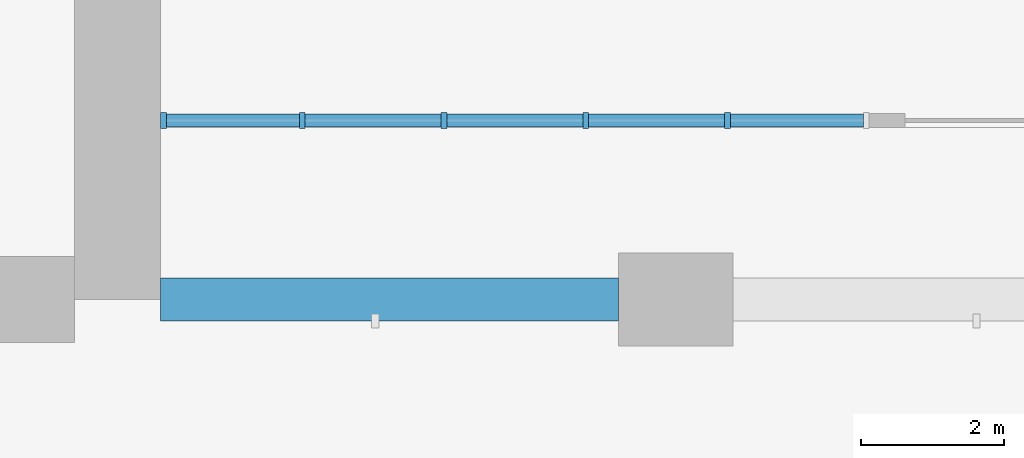
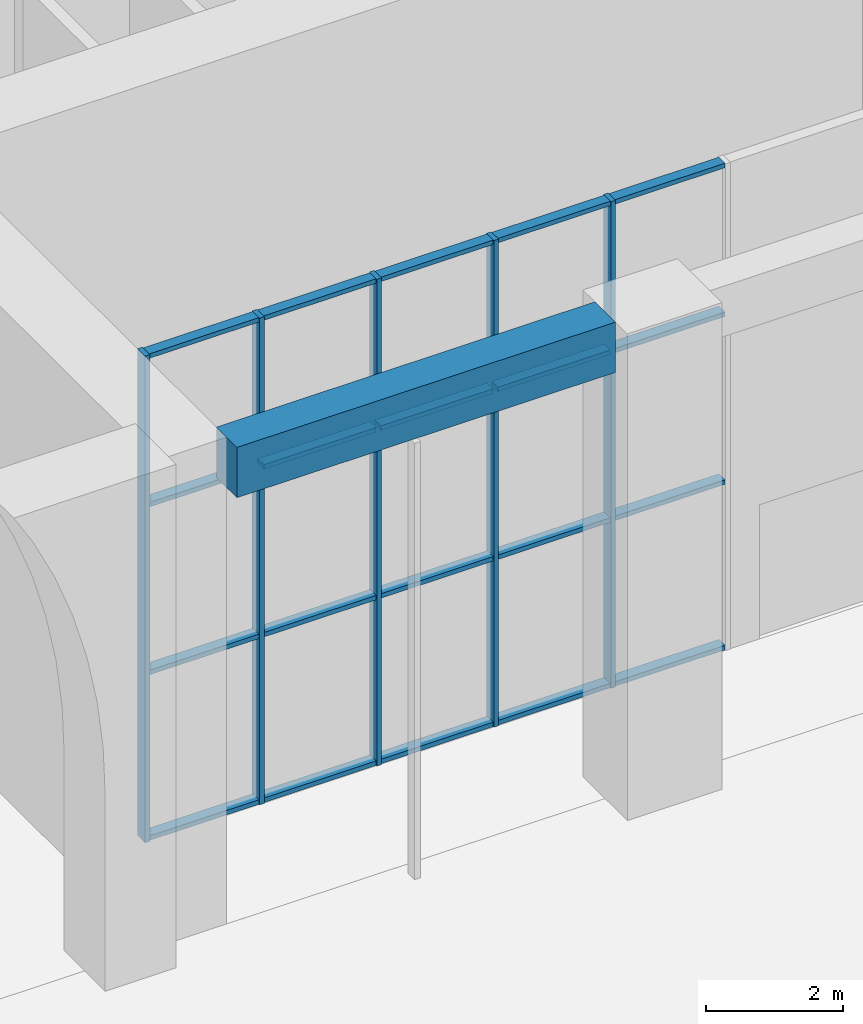
# One storey, part 4 of 46: 25 members, 1 beam, 1 element without a shape of its own.
"""IFC4 building model written with IfcOpenShell, lengths in metres."""

from ifc_helpers import new_model, si_unit, direction, frame, origin, origin_2d, place, context, subcontext, project, spatial, rectangle, extrude, material, material_profile, profile_set, type_object, element, aggregate, save


model = new_model("IFC4")

# Units and contexts
model_context = context("Model", 3, precision=1e-05, world=origin(), true_north=direction((0.0, 1.0)))
body_context = subcontext(model_context, "Body", "Model", "MODEL_VIEW")
ifc_project = project(units=[si_unit("LENGTHUNIT", "METRE"), si_unit("AREAUNIT", "SQUARE_METRE"), si_unit("VOLUMEUNIT", "CUBIC_METRE"), si_unit("PLANEANGLEUNIT", "RADIAN"), si_unit("MASSUNIT", "GRAM", prefix="KILO")], contexts=[model_context])

# Site, building, storey
site_placement = place(None, origin())
site = spatial("IfcSite", under=ifc_project, at=site_placement, CompositionType="ELEMENT")
building_placement = place(site_placement, origin())
building = spatial("IfcBuilding", under=site, at=building_placement, Name="Vermilion Gate Residences", CompositionType="ELEMENT")
storey_placement = place(building_placement, origin())
storey = spatial("IfcBuildingStorey", under=building, at=storey_placement, Name="L00", CompositionType="ELEMENT", Elevation=0.0)

# Curtain wall, members
ifc_material_1 = material(Name="Aluminium and glass", Category="aluminium")
curtain_wall_type = type_object("IfcCurtainWallType", Name="LOBBY ENTRANCE GLAZING CURTAIN WALL", PredefinedType="NOTDEFINED", material=ifc_material_1)
curtain_wall_placement = place(storey_placement, origin())
curtain_wall = element("IfcCurtainWall", 1, at=curtain_wall_placement, inside=storey, type_object=curtain_wall_type, Name="Lobby Entrance Glazing 90", PredefinedType="NOTDEFINED")
ifc_material_2 = material(Name="Aluminium", Category="aluminium")
ifc_material_profile_1 = material_profile(ifc_material_2, rectangle(XDim=0.219970703125, YDim=0.080078125, at=origin_2d()), Name="MULLION 80 X 220")
ifc_profile_set_1 = profile_set([ifc_material_profile_1], Name="Aluminium")
member_type_1 = type_object("IfcMemberType", Name="LOBBY ENTRANCE GLAZING MULLION 80 X 220", PredefinedType="MULLION", material=ifc_profile_set_1)
member_1_placement = place(storey_placement, frame((43.239990234375, 2.5, 0.0), z_axis=(0.0, 0.0, 1.0), x_axis=(0.0, 1.0, 0.0)))
member_1 = element("IfcMember", 2, at=member_1_placement, type_object=member_type_1, Name="ECW5 mullion 1", PredefinedType="MULLION", context=body_context, shape_type="SweptSolid", body=[
    extrude(rectangle(XDim=0.219970703125, YDim=0.080078125, at=origin_2d()), origin(), (0.0, 0.0, 1.0), 8.699951171875),
])
member_2_placement = place(storey_placement, frame((45.179931640625, 2.5, 0.0), z_axis=(0.0, 0.0, 1.0), x_axis=(0.0, 1.0, 0.0)))
member_2 = element("IfcMember", 3, at=member_2_placement, type_object=member_type_1, Name="ECW5 mullion 2", PredefinedType="MULLION", context=body_context, shape_type="SweptSolid", body=[
    extrude(rectangle(XDim=0.219970703125, YDim=0.080078125, at=origin_2d()), origin(), (0.0, 0.0, 1.0), 8.699951171875),
])
member_3_placement = place(storey_placement, frame((47.159912109375, 2.5, 0.0), z_axis=(0.0, 0.0, 1.0), x_axis=(0.0, 1.0, 0.0)))
member_3 = element("IfcMember", 4, at=member_3_placement, type_object=member_type_1, Name="ECW5 mullion 3", PredefinedType="MULLION", context=body_context, shape_type="SweptSolid", body=[
    extrude(rectangle(XDim=0.219970703125, YDim=0.080078125, at=origin_2d()), origin(), (0.0, 0.0, 1.0), 8.699951171875),
])
member_4_placement = place(storey_placement, frame((49.139892578125, 2.5, 0.0), z_axis=(0.0, 0.0, 1.0), x_axis=(0.0, 1.0, 0.0)))
member_4 = element("IfcMember", 5, at=member_4_placement, type_object=member_type_1, Name="ECW5 mullion 4", PredefinedType="MULLION", context=body_context, shape_type="SweptSolid", body=[
    extrude(rectangle(XDim=0.219970703125, YDim=0.080078125, at=origin_2d()), origin(), (0.0, 0.0, 1.0), 8.699951171875),
])
member_5_placement = place(storey_placement, frame((51.1201171875, 2.5, 0.0), z_axis=(0.0, 0.0, 1.0), x_axis=(0.0, 1.0, 0.0)))
member_5 = element("IfcMember", 6, at=member_5_placement, type_object=member_type_1, Name="ECW5 mullion 5", PredefinedType="MULLION", context=body_context, shape_type="SweptSolid", body=[
    extrude(rectangle(XDim=0.219970703125, YDim=0.080078125, at=origin_2d()), origin(), (0.0, 0.0, 1.0), 8.699951171875),
])
ifc_material_3 = material(Name="Aluminium", Category="aluminium")
ifc_material_profile_2 = material_profile(ifc_material_3, rectangle(XDim=0.179931640625, YDim=0.080078125, at=origin_2d()), Name="TRANSOM 80 X 180")
ifc_profile_set_2 = profile_set([ifc_material_profile_2], Name="Aluminium")
member_type_2 = type_object("IfcMemberType", Name="LOBBY ENTRANCE GLAZING TRANSOM 80 X 180", PredefinedType="MULLION", material=ifc_profile_set_2)
member_6_placement = place(storey_placement, frame((43.280029296875, 2.5, 0.0400390625), z_axis=(1.0, 0.0, 0.0), x_axis=(0.0, 1.0, 0.0)))
member_6 = element("IfcMember", 7, at=member_6_placement, type_object=member_type_2, Name="ECW5 transom 1.1", PredefinedType="MULLION", context=body_context, shape_type="SweptSolid", body=[
    extrude(rectangle(XDim=0.179931640625, YDim=0.080078125, at=origin_2d()), origin(), (0.0, 0.0, 1.0), 1.85986328125),
])
member_7_placement = place(storey_placement, frame((43.280029296875, 2.5, 3.0), z_axis=(1.0, 0.0, 0.0), x_axis=(0.0, 1.0, 0.0)))
member_7 = element("IfcMember", 8, at=member_7_placement, type_object=member_type_2, Name="ECW5 transom 1.2", PredefinedType="MULLION", context=body_context, shape_type="SweptSolid", body=[
    extrude(rectangle(XDim=0.179931640625, YDim=0.080078125, at=origin_2d()), origin(), (0.0, 0.0, 1.0), 1.85986328125),
])
member_8_placement = place(storey_placement, frame((43.280029296875, 2.5, 6.0), z_axis=(1.0, 0.0, 0.0), x_axis=(0.0, 1.0, 0.0)))
member_8 = element("IfcMember", 9, at=member_8_placement, type_object=member_type_2, Name="ECW5 transom 1.3", PredefinedType="MULLION", context=body_context, shape_type="SweptSolid", body=[
    extrude(rectangle(XDim=0.179931640625, YDim=0.080078125, at=origin_2d()), origin(), (0.0, 0.0, 1.0), 1.85986328125),
])
member_9_placement = place(storey_placement, frame((43.280029296875, 2.5, 8.659912109375), z_axis=(1.0, 0.0, 0.0), x_axis=(0.0, 1.0, 0.0)))
member_9 = element("IfcMember", 10, at=member_9_placement, type_object=member_type_2, Name="ECW5 transom 1.4", PredefinedType="MULLION", context=body_context, shape_type="SweptSolid", body=[
    extrude(rectangle(XDim=0.179931640625, YDim=0.080078125, at=origin_2d()), origin(), (0.0, 0.0, 1.0), 1.85986328125),
])
member_10_placement = place(storey_placement, frame((45.219970703125, 2.5, 0.0400390625), z_axis=(1.0, 0.0, 0.0), x_axis=(0.0, 1.0, 0.0)))
member_10 = element("IfcMember", 11, at=member_10_placement, type_object=member_type_2, Name="ECW5 transom 2.1", PredefinedType="MULLION", context=body_context, shape_type="SweptSolid", body=[
    extrude(rectangle(XDim=0.179931640625, YDim=0.080078125, at=origin_2d()), origin(), (0.0, 0.0, 1.0), 1.900146484375),
])
member_11_placement = place(storey_placement, frame((45.219970703125, 2.5, 3.0), z_axis=(1.0, 0.0, 0.0), x_axis=(0.0, 1.0, 0.0)))
member_11 = element("IfcMember", 12, at=member_11_placement, type_object=member_type_2, Name="ECW5 transom 2.2", PredefinedType="MULLION", context=body_context, shape_type="SweptSolid", body=[
    extrude(rectangle(XDim=0.179931640625, YDim=0.080078125, at=origin_2d()), origin(), (0.0, 0.0, 1.0), 1.900146484375),
])
member_12_placement = place(storey_placement, frame((45.219970703125, 2.5, 6.0), z_axis=(1.0, 0.0, 0.0), x_axis=(0.0, 1.0, 0.0)))
member_12 = element("IfcMember", 13, at=member_12_placement, type_object=member_type_2, Name="ECW5 transom 2.3", PredefinedType="MULLION", context=body_context, shape_type="SweptSolid", body=[
    extrude(rectangle(XDim=0.179931640625, YDim=0.080078125, at=origin_2d()), origin(), (0.0, 0.0, 1.0), 1.900146484375),
])
member_13_placement = place(storey_placement, frame((45.219970703125, 2.5, 8.659912109375), z_axis=(1.0, 0.0, 0.0), x_axis=(0.0, 1.0, 0.0)))
member_13 = element("IfcMember", 14, at=member_13_placement, type_object=member_type_2, Name="ECW5 transom 2.4", PredefinedType="MULLION", context=body_context, shape_type="SweptSolid", body=[
    extrude(rectangle(XDim=0.179931640625, YDim=0.080078125, at=origin_2d()), origin(), (0.0, 0.0, 1.0), 1.900146484375),
])
member_14_placement = place(storey_placement, frame((47.199951171875, 2.5, 0.0400390625), z_axis=(1.0, 0.0, 0.0), x_axis=(0.0, 1.0, 0.0)))
member_14 = element("IfcMember", 15, at=member_14_placement, type_object=member_type_2, Name="ECW5 transom 3.1", PredefinedType="MULLION", context=body_context, shape_type="SweptSolid", body=[
    extrude(rectangle(XDim=0.179931640625, YDim=0.080078125, at=origin_2d()), origin(), (0.0, 0.0, 1.0), 1.900146484375),
])
member_15_placement = place(storey_placement, frame((47.199951171875, 2.5, 3.0), z_axis=(1.0, 0.0, 0.0), x_axis=(0.0, 1.0, 0.0)))
member_15 = element("IfcMember", 16, at=member_15_placement, type_object=member_type_2, Name="ECW5 transom 3.2", PredefinedType="MULLION", context=body_context, shape_type="SweptSolid", body=[
    extrude(rectangle(XDim=0.179931640625, YDim=0.080078125, at=origin_2d()), origin(), (0.0, 0.0, 1.0), 1.900146484375),
])
member_16_placement = place(storey_placement, frame((47.199951171875, 2.5, 6.0), z_axis=(1.0, 0.0, 0.0), x_axis=(0.0, 1.0, 0.0)))
member_16 = element("IfcMember", 17, at=member_16_placement, type_object=member_type_2, Name="ECW5 transom 3.3", PredefinedType="MULLION", context=body_context, shape_type="SweptSolid", body=[
    extrude(rectangle(XDim=0.179931640625, YDim=0.080078125, at=origin_2d()), origin(), (0.0, 0.0, 1.0), 1.900146484375),
])
member_17_placement = place(storey_placement, frame((47.199951171875, 2.5, 8.659912109375), z_axis=(1.0, 0.0, 0.0), x_axis=(0.0, 1.0, 0.0)))
member_17 = element("IfcMember", 18, at=member_17_placement, type_object=member_type_2, Name="ECW5 transom 3.4", PredefinedType="MULLION", context=body_context, shape_type="SweptSolid", body=[
    extrude(rectangle(XDim=0.179931640625, YDim=0.080078125, at=origin_2d()), origin(), (0.0, 0.0, 1.0), 1.900146484375),
])
member_18_placement = place(storey_placement, frame((49.179931640625, 2.5, 0.0400390625), z_axis=(1.0, 0.0, 0.0), x_axis=(0.0, 1.0, 0.0)))
member_18 = element("IfcMember", 19, at=member_18_placement, type_object=member_type_2, Name="ECW5 transom 4.1", PredefinedType="MULLION", context=body_context, shape_type="SweptSolid", body=[
    extrude(rectangle(XDim=0.179931640625, YDim=0.080078125, at=origin_2d()), origin(), (0.0, 0.0, 1.0), 1.900146484375),
])
member_19_placement = place(storey_placement, frame((49.179931640625, 2.5, 3.0), z_axis=(1.0, 0.0, 0.0), x_axis=(0.0, 1.0, 0.0)))
member_19 = element("IfcMember", 20, at=member_19_placement, type_object=member_type_2, Name="ECW5 transom 4.2", PredefinedType="MULLION", context=body_context, shape_type="SweptSolid", body=[
    extrude(rectangle(XDim=0.179931640625, YDim=0.080078125, at=origin_2d()), origin(), (0.0, 0.0, 1.0), 1.900146484375),
])
member_20_placement = place(storey_placement, frame((49.179931640625, 2.5, 6.0), z_axis=(1.0, 0.0, 0.0), x_axis=(0.0, 1.0, 0.0)))
member_20 = element("IfcMember", 21, at=member_20_placement, type_object=member_type_2, Name="ECW5 transom 4.3", PredefinedType="MULLION", context=body_context, shape_type="SweptSolid", body=[
    extrude(rectangle(XDim=0.179931640625, YDim=0.080078125, at=origin_2d()), origin(), (0.0, 0.0, 1.0), 1.900146484375),
])
member_21_placement = place(storey_placement, frame((49.179931640625, 2.5, 8.659912109375), z_axis=(1.0, 0.0, 0.0), x_axis=(0.0, 1.0, 0.0)))
member_21 = element("IfcMember", 22, at=member_21_placement, type_object=member_type_2, Name="ECW5 transom 4.4", PredefinedType="MULLION", context=body_context, shape_type="SweptSolid", body=[
    extrude(rectangle(XDim=0.179931640625, YDim=0.080078125, at=origin_2d()), origin(), (0.0, 0.0, 1.0), 1.900146484375),
])
member_22_placement = place(storey_placement, frame((51.159912109375, 2.5, 0.0400390625), z_axis=(1.0, 0.0, 0.0), x_axis=(0.0, 1.0, 0.0)))
member_22 = element("IfcMember", 23, at=member_22_placement, type_object=member_type_2, Name="ECW5 transom 5.1", PredefinedType="MULLION", context=body_context, shape_type="SweptSolid", body=[
    extrude(rectangle(XDim=0.179931640625, YDim=0.080078125, at=origin_2d()), origin(), (0.0, 0.0, 1.0), 1.860107421875),
])
member_23_placement = place(storey_placement, frame((51.159912109375, 2.5, 3.0), z_axis=(1.0, 0.0, 0.0), x_axis=(0.0, 1.0, 0.0)))
member_23 = element("IfcMember", 24, at=member_23_placement, type_object=member_type_2, Name="ECW5 transom 5.2", PredefinedType="MULLION", context=body_context, shape_type="SweptSolid", body=[
    extrude(rectangle(XDim=0.179931640625, YDim=0.080078125, at=origin_2d()), origin(), (0.0, 0.0, 1.0), 1.860107421875),
])
member_24_placement = place(storey_placement, frame((51.159912109375, 2.5, 6.0), z_axis=(1.0, 0.0, 0.0), x_axis=(0.0, 1.0, 0.0)))
member_24 = element("IfcMember", 25, at=member_24_placement, type_object=member_type_2, Name="ECW5 transom 5.3", PredefinedType="MULLION", context=body_context, shape_type="SweptSolid", body=[
    extrude(rectangle(XDim=0.179931640625, YDim=0.080078125, at=origin_2d()), origin(), (0.0, 0.0, 1.0), 1.860107421875),
])
member_25_placement = place(storey_placement, frame((51.159912109375, 2.5, 8.659912109375), z_axis=(1.0, 0.0, 0.0), x_axis=(0.0, 1.0, 0.0)))
member_25 = element("IfcMember", 26, at=member_25_placement, type_object=member_type_2, Name="ECW5 transom 5.4", PredefinedType="MULLION", context=body_context, shape_type="SweptSolid", body=[
    extrude(rectangle(XDim=0.179931640625, YDim=0.080078125, at=origin_2d()), origin(), (0.0, 0.0, 1.0), 1.860107421875),
])
aggregate(curtain_wall, [member_1, member_2, member_3, member_4, member_5, member_6, member_7, member_8, member_9, member_10, member_11, member_12, member_13, member_14, member_15, member_16, member_17, member_18, member_19, member_20, member_21, member_22, member_23, member_24, member_25])

# Beam
ifc_material_4 = material(Name="Concrete C60 red-oxide pigmented", Category="concrete")
ifc_material_profile_3 = material_profile(ifc_material_4, rectangle(XDim=0.60009765625, YDim=0.89990234375, at=origin_2d()), Name="RC-600x900")
ifc_profile_set_3 = profile_set([ifc_material_profile_3], Name="Concrete C60 red-oxide pigmented")
beam_type = type_object("IfcBeamType", Name="RC EDGE BEAM 600 X 900 C60", PredefinedType="BEAM", material=ifc_profile_set_3)
beam_placement = place(storey_placement, frame((43.199951171875, 0.0, 8.25), z_axis=(1.0, 0.0, 0.0), x_axis=(0.0, 1.0, 0.0)))
element("IfcBeam", 27, at=beam_placement, inside=storey, type_object=beam_type, Name="Edge beam L00 14", PredefinedType="BEAM", context=body_context, shape_type="SweptSolid", body=[
    extrude(rectangle(XDim=0.60009765625, YDim=0.89990234375, at=origin_2d()), origin(), (0.0, 0.0, 1.0), 6.400146484375),
])

save(model, "model.ifc")
